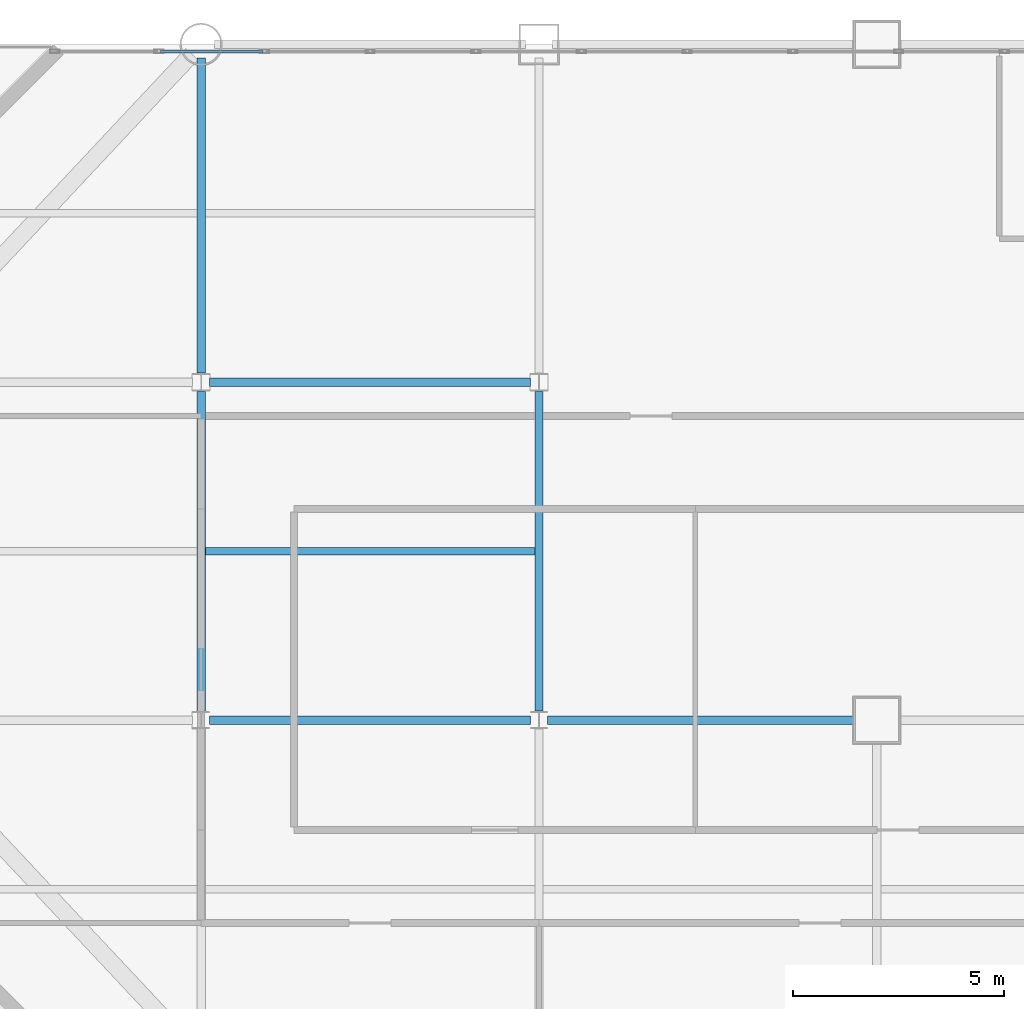
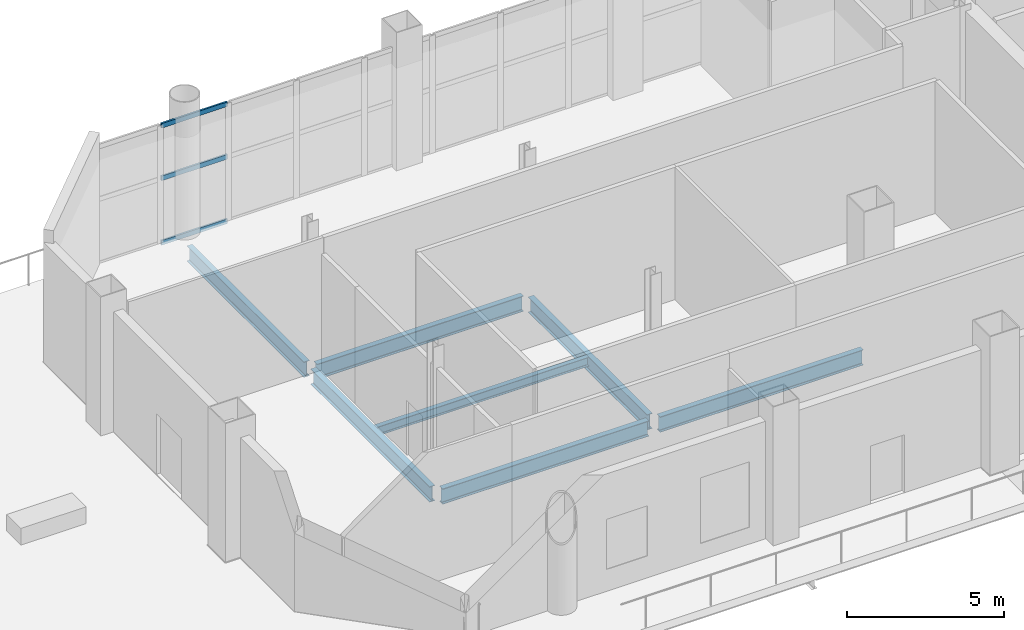
# One storey, part 13 of 22: 7 beams, 3 members, 1 element without a shape of its own.
"""IFC4 building model written with IfcOpenShell, lengths in metres."""

from ifc_helpers import new_model, si_unit, direction, frame, origin, origin_2d, place, context, subcontext, project, spatial, hollow_rectangle, i_section, extrude, material, layer, layer_set, material_profile, profile_set, type_object, element, aggregate, save


model = new_model("IFC4")

# Units and contexts
model_context = context("Model", 3, precision=1e-05, world=origin(), true_north=direction((0.0, 1.0)))
body_context = subcontext(model_context, "Body", "Model", "MODEL_VIEW")
ifc_project = project(units=[si_unit("LENGTHUNIT", "METRE"), si_unit("AREAUNIT", "SQUARE_METRE"), si_unit("VOLUMEUNIT", "CUBIC_METRE"), si_unit("PLANEANGLEUNIT", "RADIAN"), si_unit("MASSUNIT", "GRAM", prefix="KILO")], contexts=[model_context])

# Site, building, storey
site_placement = place(None, origin())
site = spatial("IfcSite", under=ifc_project, at=site_placement, CompositionType="ELEMENT")
building_placement = place(site_placement, origin())
building = spatial("IfcBuilding", under=site, at=building_placement, Name="Qianrong Seaharbour Tower", CompositionType="ELEMENT")
storey_placement = place(building_placement, frame((0.0, 0.0, 113.60009765625)))
storey = spatial("IfcBuildingStorey", under=building, at=storey_placement, Name="L27", CompositionType="ELEMENT", Elevation=113.60009765625)

# Beams
ifc_material_1 = material(Name="Structural steel SN490B", Category="steel")
ifc_material_profile_1 = material_profile(ifc_material_1, i_section(OverallWidth=0.199951171875, OverallDepth=0.60009765625, WebThickness=0.010986328125, FlangeThickness=0.01708984375, FilletRadius=0.02197265625, at=origin_2d()), Name="H600x200x11x17")
ifc_profile_set_1 = profile_set([ifc_material_profile_1], Name="Structural steel SN490B")
beam_type_1 = type_object("IfcBeamType", Name="BM-G-600", PredefinedType="BEAM", material=ifc_profile_set_1)
beam_1_placement = place(storey_placement, frame((16.70361328125, 36.0, -0.60009765625), z_axis=(1.0, 0.0, 0.0), x_axis=(0.0, 1.0, 0.0)))
element("IfcBeam", 1, at=beam_1_placement, inside=storey, type_object=beam_type_1, Name="L27 Primary Girder GF G3-G4", PredefinedType="BEAM", context=body_context, shape_type="SweptSolid", body=[
    extrude(i_section(OverallWidth=0.199951171875, OverallDepth=0.60009765625, WebThickness=0.010986328125, FlangeThickness=0.01708984375, FilletRadius=0.02197265625, at=origin_2d()), origin(), (0.0, 0.0, 1.0), 7.5927734375),
])
beam_2_placement = place(storey_placement, frame((24.70361328125, 36.0, -0.60009765625), z_axis=(1.0, 0.0, 0.0), x_axis=(0.0, 1.0, 0.0)))
element("IfcBeam", 2, at=beam_2_placement, inside=storey, type_object=beam_type_1, Name="L27 Primary Girder GF G4-G5", PredefinedType="BEAM", context=body_context, shape_type="SweptSolid", body=[
    extrude(i_section(OverallWidth=0.199951171875, OverallDepth=0.60009765625, WebThickness=0.010986328125, FlangeThickness=0.01708984375, FilletRadius=0.02197265625, at=origin_2d()), origin(), (0.0, 0.0, 1.0), 7.476318359375),
])
beam_3_placement = place(storey_placement, frame((16.70361328125, 44.0, -0.60009765625), z_axis=(1.0, 0.0, 0.0), x_axis=(0.0, 1.0, 0.0)))
element("IfcBeam", 3, at=beam_3_placement, inside=storey, type_object=beam_type_1, Name="L27 Primary Girder GG G3-G4", PredefinedType="BEAM", context=body_context, shape_type="SweptSolid", body=[
    extrude(i_section(OverallWidth=0.199951171875, OverallDepth=0.60009765625, WebThickness=0.010986328125, FlangeThickness=0.01708984375, FilletRadius=0.02197265625, at=origin_2d()), origin(), (0.0, 0.0, 1.0), 7.5927734375),
])
beam_4_placement = place(storey_placement, frame((16.5, 36.214111328125, -0.60009765625), z_axis=(0.0, 1.0, 0.0), x_axis=(-1.0, 0.0, 0.0)))
element("IfcBeam", 4, at=beam_4_placement, inside=storey, type_object=beam_type_1, Name="L27 Primary Girder G3 GF-GG", PredefinedType="BEAM", context=body_context, shape_type="SweptSolid", body=[
    extrude(i_section(OverallWidth=0.199951171875, OverallDepth=0.60009765625, WebThickness=0.010986328125, FlangeThickness=0.01708984375, FilletRadius=0.02197265625, at=origin_2d()), origin(), (0.0, 0.0, 1.0), 7.57177734375),
])
beam_5_placement = place(storey_placement, frame((16.5, 44.214111328125, -0.60009765625), z_axis=(0.0, 1.0, 0.0), x_axis=(-1.0, 0.0, 0.0)))
element("IfcBeam", 5, at=beam_5_placement, inside=storey, type_object=beam_type_1, Name="L27 Primary Girder G3 GG-GH", PredefinedType="BEAM", context=body_context, shape_type="SweptSolid", body=[
    extrude(i_section(OverallWidth=0.199951171875, OverallDepth=0.60009765625, WebThickness=0.010986328125, FlangeThickness=0.01708984375, FilletRadius=0.02197265625, at=origin_2d()), origin(), (0.0, 0.0, 1.0), 7.4658203125),
])
beam_6_placement = place(storey_placement, frame((24.5, 36.214111328125, -0.60009765625), z_axis=(0.0, 1.0, 0.0), x_axis=(-1.0, 0.0, 0.0)))
element("IfcBeam", 6, at=beam_6_placement, inside=storey, type_object=beam_type_1, Name="L27 Primary Girder G4 GF-GG", PredefinedType="BEAM", context=body_context, shape_type="SweptSolid", body=[
    extrude(i_section(OverallWidth=0.199951171875, OverallDepth=0.60009765625, WebThickness=0.010986328125, FlangeThickness=0.01708984375, FilletRadius=0.02197265625, at=origin_2d()), origin(), (0.0, 0.0, 1.0), 7.57177734375),
])
ifc_material_2 = material(Name="Structural steel SN400B", Category="steel")
ifc_material_profile_2 = material_profile(ifc_material_2, i_section(OverallWidth=0.175048828125, OverallDepth=0.35009765625, WebThickness=0.007080078125, FlangeThickness=0.010986328125, FilletRadius=0.013916015625, at=origin_2d()), Name="H350x175x7x11")
ifc_profile_set_2 = profile_set([ifc_material_profile_2], Name="Structural steel SN400B")
beam_type_2 = type_object("IfcBeamType", Name="BM-J-350", PredefinedType="JOIST", material=ifc_profile_set_2)
beam_7_placement = place(storey_placement, frame((16.60009765625, 40.0, -0.47509765625), z_axis=(1.0, 0.0, 0.0), x_axis=(0.0, 1.0, 0.0)))
element("IfcBeam", 7, at=beam_7_placement, inside=storey, type_object=beam_type_2, Name="L27 Composite Floor Joist G3-G4/GF-GG", PredefinedType="JOIST", context=body_context, shape_type="SweptSolid", body=[
    extrude(i_section(OverallWidth=0.175048828125, OverallDepth=0.35009765625, WebThickness=0.007080078125, FlangeThickness=0.010986328125, FilletRadius=0.013916015625, at=origin_2d()), origin(), (0.0, 0.0, 1.0), 7.7998046875),
])

# Curtain wall, members
ifc_material_3 = material(Name="Anodised aluminium 6063-T6 and laminated low-e glass", Category="aluminium")
ifc_layer = layer(ifc_material_3, 0.2099609375)
ifc_layer_set = layer_set([ifc_layer], Name="Anodised aluminium 6063-T6 and laminated low-e glass")
curtain_wall_type = type_object("IfcCurtainWallType", Name="CW-SYS-2", PredefinedType="NOTDEFINED", material=ifc_layer_set)
curtain_wall_placement = place(storey_placement, origin())
curtain_wall = element("IfcCurtainWall", 8, at=curtain_wall_placement, inside=storey, type_object=curtain_wall_type, Name="L27 Sky-Lobby Feature Curtain Wall NORTH_WING", PredefinedType="NOTDEFINED")
ifc_material_4 = material(Name="Extruded aluminium 6063-T6", Category="aluminium")
ifc_material_profile_3 = material_profile(ifc_material_4, hollow_rectangle(XDim=0.070068359375, YDim=0.179931640625, WallThickness=0.00390625, at=origin_2d()), Name="ALU-TRN-180x70x4")
ifc_profile_set_3 = profile_set([ifc_material_profile_3], Name="Extruded aluminium 6063-T6")
member_type = type_object("IfcMemberType", Name="CW-TRN-180", PredefinedType="USERDEFINED", material=ifc_profile_set_3)
member_1_placement = place(storey_placement, frame((15.541748046875, 51.830078125, 0.034912109375), z_axis=(1.0, 0.0, 0.0), x_axis=(0.0, 1.0, 0.0)))
member_1 = element("IfcMember", 9, at=member_1_placement, type_object=member_type, Name="CW-2 transom 2.1", ObjectType="TRANSOM", PredefinedType="USERDEFINED", context=body_context, shape_type="SweptSolid", body=[
    extrude(hollow_rectangle(XDim=0.070068359375, YDim=0.179931640625, WallThickness=0.00390625, at=origin_2d()), origin(), (0.0, 0.0, 1.0), 2.421875),
])
member_2_placement = place(storey_placement, frame((15.541748046875, 51.830078125, 2.543701171875), z_axis=(1.0, 0.0, 0.0), x_axis=(0.0, 1.0, 0.0)))
member_2 = element("IfcMember", 10, at=member_2_placement, type_object=member_type, Name="CW-2 transom 2.2", ObjectType="TRANSOM", PredefinedType="USERDEFINED", context=body_context, shape_type="SweptSolid", body=[
    extrude(hollow_rectangle(XDim=0.070068359375, YDim=0.179931640625, WallThickness=0.00390625, at=origin_2d()), origin(), (0.0, 0.0, 1.0), 2.421875),
])
member_3_placement = place(storey_placement, frame((15.541748046875, 51.830078125, 4.58984375), z_axis=(1.0, 0.0, 0.0), x_axis=(0.0, 1.0, 0.0)))
member_3 = element("IfcMember", 11, at=member_3_placement, type_object=member_type, Name="CW-2 transom 2.3", ObjectType="TRANSOM", PredefinedType="USERDEFINED", context=body_context, shape_type="SweptSolid", body=[
    extrude(hollow_rectangle(XDim=0.070068359375, YDim=0.179931640625, WallThickness=0.00390625, at=origin_2d()), origin(), (0.0, 0.0, 1.0), 2.421875),
])
aggregate(curtain_wall, [member_1, member_2, member_3])

save(model, "model.ifc")
